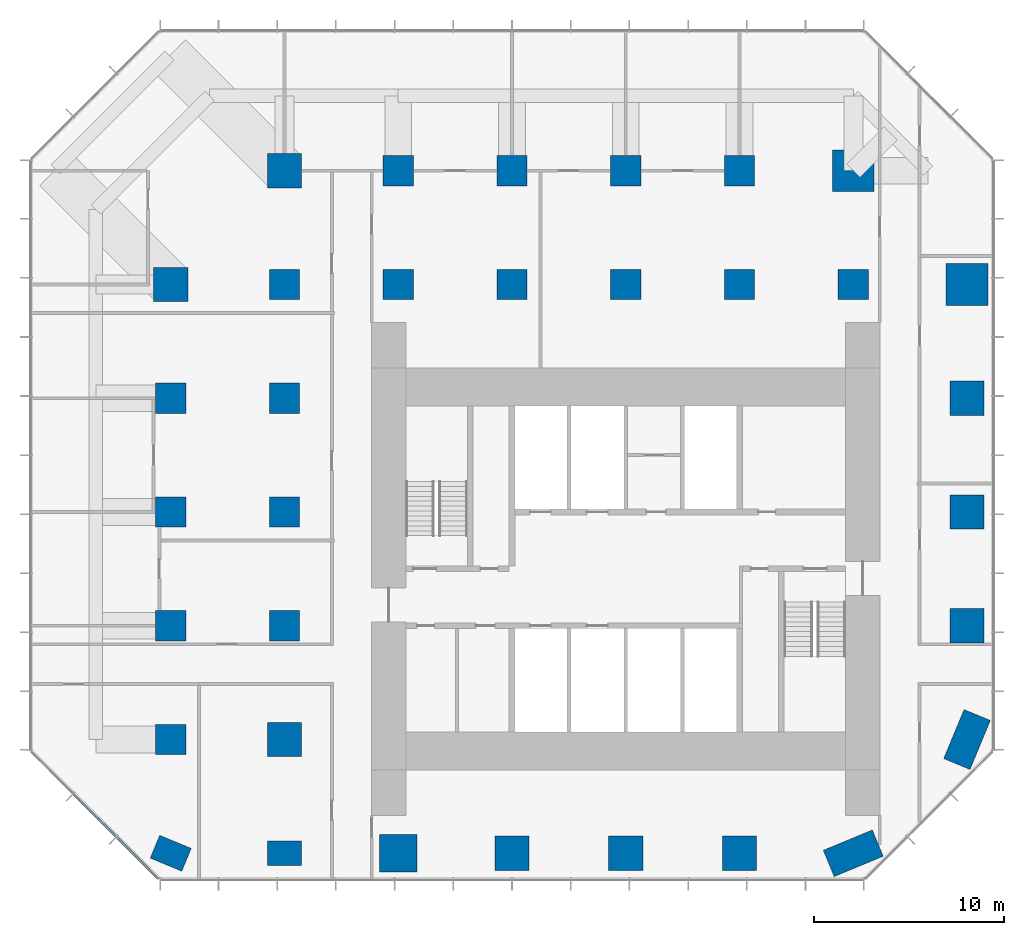
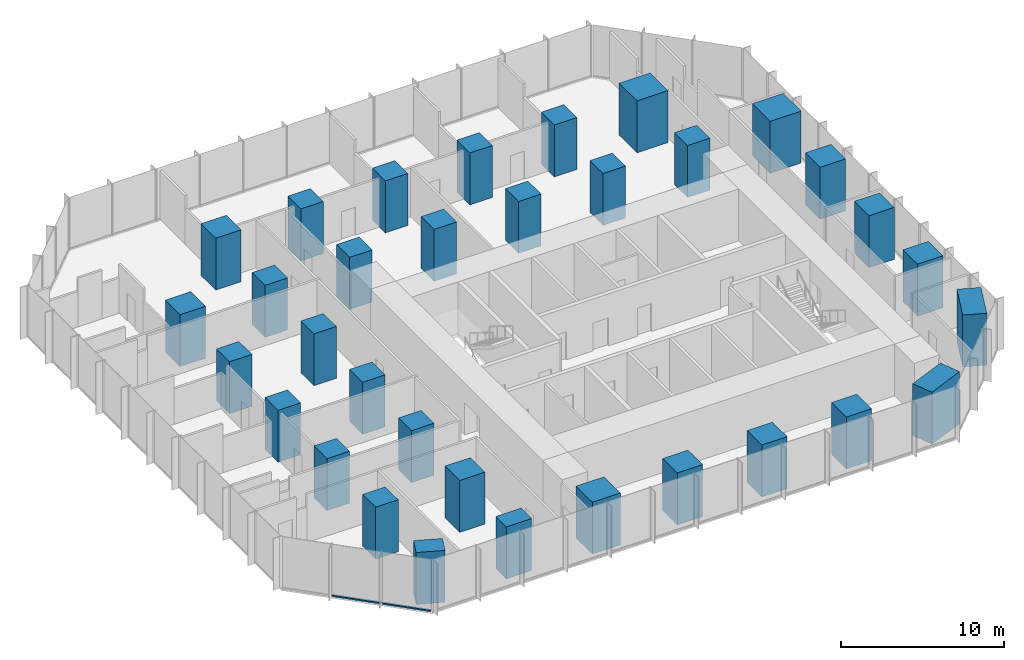
# One storey, part 1 of 11: 33 columns, 2 members, 1 element without a shape of its own.
"""IFC4 building model written with IfcOpenShell, lengths in metres."""

from ifc_helpers import new_model, si_unit, direction, frame, origin, origin_2d, place, context, subcontext, project, spatial, rectangle, extrude, material, layer, layer_set, material_profile, profile_set, type_object, element, aggregate, save


model = new_model("IFC4")

# Units and contexts
model_context = context("Model", 3, precision=1e-05, world=origin(), true_north=direction((0.0, 1.0)))
body_context = subcontext(model_context, "Body", "Model", "MODEL_VIEW")
ifc_project = project(units=[si_unit("LENGTHUNIT", "METRE"), si_unit("AREAUNIT", "SQUARE_METRE"), si_unit("VOLUMEUNIT", "CUBIC_METRE"), si_unit("PLANEANGLEUNIT", "RADIAN"), si_unit("MASSUNIT", "GRAM", prefix="KILO")], contexts=[model_context])

# Site, building, storey
site_placement = place(None, origin())
site = spatial("IfcSite", under=ifc_project, at=site_placement, CompositionType="ELEMENT")
building_placement = place(site_placement, origin())
building = spatial("IfcBuilding", under=site, at=building_placement, Name="Highveld Stack Headquarters", CompositionType="ELEMENT")
storey_placement = place(building_placement, frame((0.0, 0.0, 109.39990234375)))
storey = spatial("IfcBuildingStorey", under=building, at=storey_placement, Name="L26", CompositionType="ELEMENT", Elevation=109.39990234375)

# Columns
ifc_material_1 = material(Name="Concrete C60/75", Category="concrete")
ifc_material_profile_1 = material_profile(ifc_material_1, rectangle(XDim=1.60009765625, YDim=1.60009765625, at=origin_2d()), Name="RC 1600x1600")
ifc_profile_set_1 = profile_set([ifc_material_profile_1], Name="Concrete C60/75")
column_type_1 = type_object("IfcColumnType", Name="COLUMN RC 1600x1600 C60/75", PredefinedType="COLUMN", material=ifc_profile_set_1)
for number, where, z_axis, x_axis, name in (
    (1, (-18.0, -6.0, 0.0), (0.0, 0.0, 1.0), (1.0, 0.0, 0.0), "Column 3/D L26"),
    (2, (-18.0, 0.0, 0.0), (0.0, 0.0, 1.0), (1.0, 0.0, 0.0), "Column 3/E L26"),
    (3, (-18.0, 6.0, 0.0), (0.0, 0.0, 1.0), (1.0, 0.0, 0.0), "Column 3/F L26"),
    (4, (-18.0, 12.0, 0.0), (0.0, 0.0, 1.0), (1.0, 0.0, 0.0), "Column 3/G L26"),
    (5, (-12.0, 0.0, 0.0), (0.0, 0.0, 1.0), (1.0, 0.0, 0.0), "Column 4/E L26"),
    (6, (-12.0, 6.0, 0.0), (0.0, 0.0, 1.0), (1.0, 0.0, 0.0), "Column 4/F L26"),
    (7, (-12.0, 12.0, 0.0), (0.0, 0.0, 1.0), (1.0, 0.0, 0.0), "Column 4/G L26"),
    (8, (-12.0, 18.0, 0.0), (0.0, 0.0, 1.0), (1.0, 0.0, 0.0), "Column 4/H L26"),
    (9, (-6.0, 18.0, 0.0), (0.0, 0.0, 1.0), (1.0, 0.0, 0.0), "Column 5/H L26"),
    (10, (-6.0, 24.0, 0.0), (0.0, 0.0, 1.0), (1.0, 0.0, 0.0), "Column 5/J L26"),
    (11, (0.0, 18.0, 0.0), (0.0, 0.0, 1.0), (1.0, 0.0, 0.0), "Column 6/H L26"),
    (12, (0.0, 24.0, 0.0), (0.0, 0.0, 1.0), (1.0, 0.0, 0.0), "Column 6/J L26"),
    (13, (6.0, 18.0, 0.0), (0.0, 0.0, 1.0), (1.0, 0.0, 0.0), "Column 7/H L26"),
    (14, (6.0, 24.0, 0.0), (0.0, 0.0, 1.0), (1.0, 0.0, 0.0), "Column 7/J L26"),
    (15, (12.0, 18.0, 0.0), (0.0, 0.0, 1.0), (1.0, 0.0, 0.0), "Column 8/H L26"),
    (16, (12.0, 24.0, 0.0), (0.0, 0.0, 1.0), (1.0, 0.0, 0.0), "Column 8/J L26"),
    (17, (18.0, 18.0, 0.0), (0.0, 0.0, 1.0), (1.0, 0.0, 0.0), "Column 9/H L26"),
):
    element("IfcColumn", number, at=place(storey_placement, frame(where, z_axis=z_axis, x_axis=x_axis)), inside=storey, type_object=column_type_1, Name=name, PredefinedType="COLUMN", context=body_context, shape_type="SweptSolid", body=[
        extrude(rectangle(XDim=1.60009765625, YDim=1.60009765625, at=origin_2d()), origin(), (0.0, 0.0, 1.0), 3.900146484375),
    ])
ifc_material_2 = material(Name="Concrete C60/75", Category="concrete")
ifc_material_profile_2 = material_profile(ifc_material_2, rectangle(XDim=1.800048828125, YDim=1.300048828125, at=origin_2d()), Name="RC 1800x1300")
ifc_profile_set_2 = profile_set([ifc_material_profile_2], Name="Concrete C60/75")
column_type_2 = type_object("IfcColumnType", Name="COLUMN RC 1800x1300 C60/75", PredefinedType="COLUMN", material=ifc_profile_set_2)
for number, where, z_axis, x_axis, name in (
    (18, (-18.0, -12.0, 0.0), (0.0, 0.0, 1.0), (-0.923879532511, 0.382683432365, 0.0), "Column 3/C L26"),
    (19, (-12.0, -12.0, 0.0), (0.0, 0.0, 1.0), (1.0, 0.0, 0.0), "Column 4/C L26"),
):
    element("IfcColumn", number, at=place(storey_placement, frame(where, z_axis=z_axis, x_axis=x_axis)), inside=storey, type_object=column_type_2, Name=name, PredefinedType="COLUMN", context=body_context, shape_type="SweptSolid", body=[
        extrude(rectangle(XDim=1.800048828125, YDim=1.300048828125, at=origin_2d()), origin(), (0.0, 0.0, 1.0), 3.900146484375),
    ])
ifc_material_3 = material(Name="Concrete C60/75", Category="concrete")
ifc_material_profile_3 = material_profile(ifc_material_3, rectangle(XDim=1.800048828125, YDim=1.800048828125, at=origin_2d()), Name="RC 1800x1800")
ifc_profile_set_3 = profile_set([ifc_material_profile_3], Name="Concrete C60/75")
column_type_3 = type_object("IfcColumnType", Name="COLUMN RC 1800x1800 C60/75", PredefinedType="COLUMN", material=ifc_profile_set_3)
for number, where, z_axis, x_axis, name in (
    (20, (-18.0, 18.0, 0.0), (0.0, 0.0, 1.0), (1.0, 0.0, 0.0), "Column 3/H L26"),
    (21, (-12.0, -6.0, 0.0), (0.0, 0.0, 1.0), (1.0, 0.0, 0.0), "Column 4/D L26"),
    (22, (-12.0, 24.0, 0.0), (0.0, 0.0, 1.0), (1.0, 0.0, 0.0), "Column 4/J L26"),
    (23, (0.0, -12.0, 0.0), (0.0, 0.0, 1.0), (1.0, 0.0, 0.0), "Column 6/C L26"),
    (24, (6.0, -12.0, 0.0), (0.0, 0.0, 1.0), (1.0, 0.0, 0.0), "Column 7/C L26"),
    (25, (12.0, -12.0, 0.0), (0.0, 0.0, 1.0), (1.0, 0.0, 0.0), "Column 8/C L26"),
    (26, (24.0, 0.0, 0.0), (0.0, 0.0, 1.0), (1.0, 0.0, 0.0), "Column 10/E L26"),
    (27, (24.0, 6.0, 0.0), (0.0, 0.0, 1.0), (1.0, 0.0, 0.0), "Column 10/F L26"),
    (28, (24.0, 12.0, 0.0), (0.0, 0.0, 1.0), (1.0, 0.0, 0.0), "Column 10/G L26"),
):
    element("IfcColumn", number, at=place(storey_placement, frame(where, z_axis=z_axis, x_axis=x_axis)), inside=storey, type_object=column_type_3, Name=name, PredefinedType="COLUMN", context=body_context, shape_type="SweptSolid", body=[
        extrude(rectangle(XDim=1.800048828125, YDim=1.800048828125, at=origin_2d()), origin(), (0.0, 0.0, 1.0), 3.900146484375),
    ])
ifc_material_4 = material(Name="Concrete C60/75", Category="concrete")
ifc_material_profile_4 = material_profile(ifc_material_4, rectangle(XDim=2.0, YDim=2.0, at=origin_2d()), Name="RC 2000x2000")
ifc_profile_set_4 = profile_set([ifc_material_profile_4], Name="Concrete C60/75")
column_type_4 = type_object("IfcColumnType", Name="COLUMN RC 2000x2000 C60/75", PredefinedType="COLUMN", material=ifc_profile_set_4)
column_placement = place(storey_placement, frame((-6.0, -12.0, 0.0), z_axis=(0.0, 0.0, 1.0), x_axis=(1.0, 0.0, 0.0)))
element("IfcColumn", 29, at=column_placement, inside=storey, type_object=column_type_4, Name="Column 5/C L26", PredefinedType="COLUMN", context=body_context, shape_type="SweptSolid", body=[
    extrude(rectangle(XDim=2.0, YDim=2.0, at=origin_2d()), origin(), (0.0, 0.0, 1.0), 3.900146484375),
])
ifc_material_5 = material(Name="Concrete C60/75", Category="concrete")
ifc_material_profile_5 = material_profile(ifc_material_5, rectangle(XDim=2.199951171875, YDim=2.199951171875, at=origin_2d()), Name="RC 2200x2200")
ifc_profile_set_5 = profile_set([ifc_material_profile_5], Name="Concrete C60/75")
column_type_5 = type_object("IfcColumnType", Name="COLUMN RC 2200x2200 C60/75", PredefinedType="COLUMN", material=ifc_profile_set_5)
for number, where, z_axis, x_axis, name in (
    (30, (18.0, 24.0, 0.0), (0.0, 0.0, 1.0), (1.0, 0.0, 0.0), "Column 9/J L26"),
    (31, (24.0, 18.0, 0.0), (0.0, 0.0, 1.0), (1.0, 0.0, 0.0), "Column 10/H L26"),
):
    element("IfcColumn", number, at=place(storey_placement, frame(where, z_axis=z_axis, x_axis=x_axis)), inside=storey, type_object=column_type_5, Name=name, PredefinedType="COLUMN", context=body_context, shape_type="SweptSolid", body=[
        extrude(rectangle(XDim=2.199951171875, YDim=2.199951171875, at=origin_2d()), origin(), (0.0, 0.0, 1.0), 3.900146484375),
    ])
ifc_material_6 = material(Name="Concrete C60/75", Category="concrete")
ifc_material_profile_6 = material_profile(ifc_material_6, rectangle(XDim=2.800048828125, YDim=1.5, at=origin_2d()), Name="RC 2800x1500")
ifc_profile_set_6 = profile_set([ifc_material_profile_6], Name="Concrete C60/75")
column_type_6 = type_object("IfcColumnType", Name="COLUMN RC 2800x1500 C60/75", PredefinedType="COLUMN", material=ifc_profile_set_6)
for number, where, z_axis, x_axis, name in (
    (32, (18.0, -12.0, 0.0), (0.0, 0.0, 1.0), (-0.923879532511, -0.382683432365, 0.0), "Column 9/C L26"),
    (33, (24.0, -6.0, 0.0), (0.0, 0.0, 1.0), (-0.382683432365, -0.923879532511, 0.0), "Column 10/D L26"),
):
    element("IfcColumn", number, at=place(storey_placement, frame(where, z_axis=z_axis, x_axis=x_axis)), inside=storey, type_object=column_type_6, Name=name, PredefinedType="COLUMN", context=body_context, shape_type="SweptSolid", body=[
        extrude(rectangle(XDim=2.800048828125, YDim=1.5, at=origin_2d()), origin(), (0.0, 0.0, 1.0), 3.900146484375),
    ])

# Curtain wall, members
ifc_material_7 = material(Name="Aluminium bronze anodised", Category="aluminium")
ifc_layer = layer(ifc_material_7, 0.199951171875)
ifc_layer_set = layer_set([ifc_layer], Name="Aluminium bronze anodised")
curtain_wall_type = type_object("IfcCurtainWallType", Name="CW2 TOWER CHAMFER UNITISED CURTAIN WALL", PredefinedType="NOTDEFINED", material=ifc_layer_set)
curtain_wall_placement = place(storey_placement, origin())
curtain_wall = element("IfcCurtainWall", 34, at=curtain_wall_placement, inside=storey, type_object=curtain_wall_type, Name="Curtain wall CW2 L26 SW", PredefinedType="NOTDEFINED")
ifc_material_8 = material(Name="Aluminium bronze anodised", Category="aluminium")
ifc_material_profile_7 = material_profile(ifc_material_8, rectangle(XDim=0.14990234375, YDim=0.10009765625, at=origin_2d()), Name="CW2 TRANSOM 150x100")
ifc_profile_set_7 = profile_set([ifc_material_profile_7], Name="Aluminium bronze anodised")
member_type = type_object("IfcMemberType", Name="CW2 STACK TRANSOM 150x100", PredefinedType="USERDEFINED", material=ifc_profile_set_7)
member_1_placement = place(storey_placement, frame((-23.103759765625, -8.876220703125, 0.050048828125), z_axis=(0.707106781187, -0.707106781187, 0.0), x_axis=(0.707106781187, 0.707106781187, 0.0)))
member_1 = element("IfcMember", 35, at=member_1_placement, type_object=member_type, Name="CW2 transom L26 2.1", ObjectType="TRANSOM", PredefinedType="USERDEFINED", context=body_context, shape_type="SweptSolid", body=[
    extrude(rectangle(XDim=0.14990234375, YDim=0.10009765625, at=origin_2d()), origin(), (0.0, 0.0, 1.0), 3.150146484375),
])
member_2_placement = place(storey_placement, frame((-20.830322265625, -11.149658203125, 0.050048828125), z_axis=(0.707106781187, -0.707106781187, 0.0), x_axis=(0.707106781187, 0.707106781187, 0.0)))
member_2 = element("IfcMember", 36, at=member_2_placement, type_object=member_type, Name="CW2 transom L26 3.1", ObjectType="TRANSOM", PredefinedType="USERDEFINED", context=body_context, shape_type="SweptSolid", body=[
    extrude(rectangle(XDim=0.14990234375, YDim=0.10009765625, at=origin_2d()), origin(), (0.0, 0.0, 1.0), 3.08251953125),
])
aggregate(curtain_wall, [member_1, member_2])

save(model, "model.ifc")
